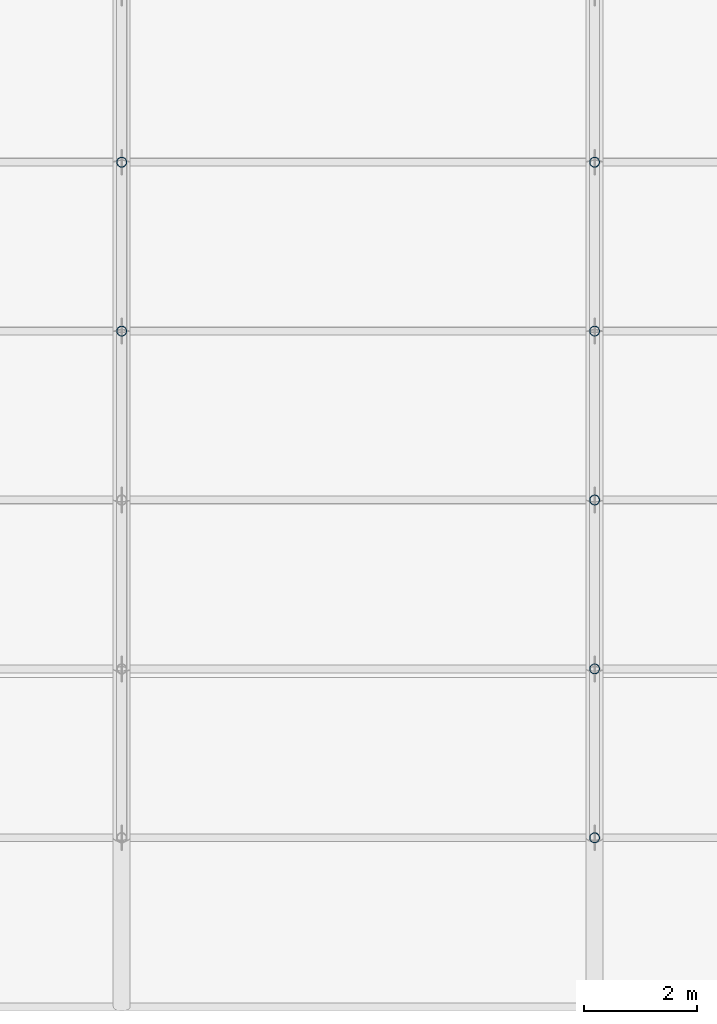
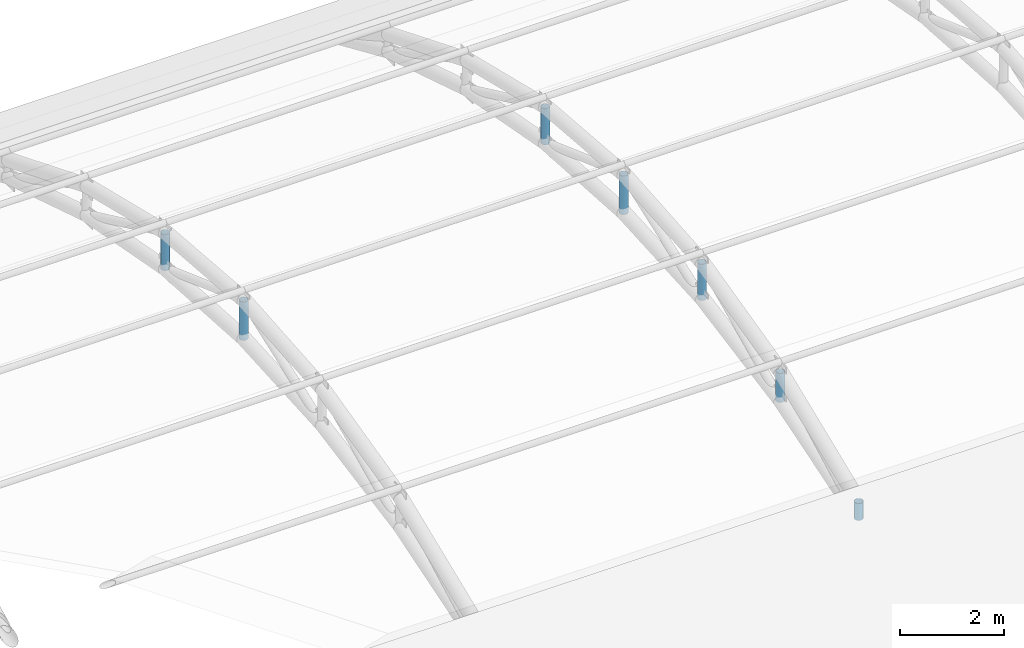
# One storey, part 91 of 163: 7 members.
"""IFC4 building model written with IfcOpenShell, lengths in metres."""

from ifc_helpers import new_model, si_unit, direction, frame, origin, origin_2d, place, context, subcontext, project, spatial, hollow_circle, extrude, material, material_profile, profile_set, type_object, element, save


model = new_model("IFC4")

# Units and contexts
model_context = context("Model", 3, precision=1e-05, world=origin(), true_north=direction((0.0, 1.0)))
body_context = subcontext(model_context, "Body", "Model", "MODEL_VIEW")
ifc_project = project(units=[si_unit("LENGTHUNIT", "METRE"), si_unit("AREAUNIT", "SQUARE_METRE"), si_unit("VOLUMEUNIT", "CUBIC_METRE"), si_unit("PLANEANGLEUNIT", "RADIAN"), si_unit("MASSUNIT", "GRAM", prefix="KILO")], contexts=[model_context])

# Site, building, storey
site_placement = place(None, origin())
site = spatial("IfcSite", under=ifc_project, at=site_placement, CompositionType="ELEMENT")
building_placement = place(site_placement, origin())
building = spatial("IfcBuilding", under=site, at=building_placement, Name="Rain Tree Exposition and Congress Centre", CompositionType="ELEMENT")
storey_placement = place(building_placement, frame((0.0, 0.0, 10.5)))
storey = spatial("IfcBuildingStorey", under=building, at=storey_placement, Name="L02", CompositionType="ELEMENT", Elevation=10.5)

# Members
ifc_material = material(Name="Steel S355J2H", Category="steel")
ifc_material_profile = material_profile(ifc_material, hollow_circle(Radius=0.090087890625, WallThickness=0.008056640625, at=origin_2d()), Name="CHS 180x8")
ifc_profile_set = profile_set([ifc_material_profile], Name="Steel S355J2H")
member_type = type_object("IfcMemberType", Name="Steel post member CHS 180x8", PredefinedType="POST", material=ifc_profile_set)
member_1_placement = place(storey_placement, frame((243.60009765625, 87.60009765625, 3.1298828125), z_axis=(0.0, 0.0, 1.0), x_axis=(1.0, 0.0, 0.0)))
element("IfcMember", 1, at=member_1_placement, inside=storey, type_object=member_type, Name="Roof truss 30 post 4", PredefinedType="POST", context=body_context, shape_type="SweptSolid", body=[
    extrude(hollow_circle(Radius=0.090087890625, WallThickness=0.008056640625, at=origin_2d()), origin(), (0.0, 0.0, 1.0), 0.900146484375),
])
member_2_placement = place(storey_placement, frame((243.60009765625, 90.60009765625, 2.9423828125), z_axis=(0.0, 0.0, 1.0), x_axis=(1.0, 0.0, 0.0)))
element("IfcMember", 2, at=member_2_placement, inside=storey, type_object=member_type, Name="Roof truss 30 post 5", PredefinedType="POST", context=body_context, shape_type="SweptSolid", body=[
    extrude(hollow_circle(Radius=0.090087890625, WallThickness=0.008056640625, at=origin_2d()), origin(), (0.0, 0.0, 1.0), 0.843994140625),
])
member_3_placement = place(storey_placement, frame((252.0, 78.60009765625, 1.4423828125), z_axis=(0.0, 0.0, 1.0), x_axis=(1.0, 0.0, 0.0)))
element("IfcMember", 3, at=member_3_placement, inside=storey, type_object=member_type, Name="Roof truss 31 post 1", PredefinedType="POST", context=body_context, shape_type="SweptSolid", body=[
    extrude(hollow_circle(Radius=0.090087890625, WallThickness=0.008056640625, at=origin_2d()), origin(), (0.0, 0.0, 1.0), 0.393798828125),
])
member_4_placement = place(storey_placement, frame((252.0, 81.60009765625, 2.3798828125), z_axis=(0.0, 0.0, 1.0), x_axis=(1.0, 0.0, 0.0)))
element("IfcMember", 4, at=member_4_placement, inside=storey, type_object=member_type, Name="Roof truss 31 post 2", PredefinedType="POST", context=body_context, shape_type="SweptSolid", body=[
    extrude(hollow_circle(Radius=0.090087890625, WallThickness=0.008056640625, at=origin_2d()), origin(), (0.0, 0.0, 1.0), 0.675048828125),
])
member_5_placement = place(storey_placement, frame((252.0, 84.60009765625, 2.9423828125), z_axis=(0.0, 0.0, 1.0), x_axis=(1.0, 0.0, 0.0)))
element("IfcMember", 5, at=member_5_placement, inside=storey, type_object=member_type, Name="Roof truss 31 post 3", PredefinedType="POST", context=body_context, shape_type="SweptSolid", body=[
    extrude(hollow_circle(Radius=0.090087890625, WallThickness=0.008056640625, at=origin_2d()), origin(), (0.0, 0.0, 1.0), 0.843994140625),
])
member_6_placement = place(storey_placement, frame((252.0, 87.60009765625, 3.1298828125), z_axis=(0.0, 0.0, 1.0), x_axis=(1.0, 0.0, 0.0)))
element("IfcMember", 6, at=member_6_placement, inside=storey, type_object=member_type, Name="Roof truss 31 post 4", PredefinedType="POST", context=body_context, shape_type="SweptSolid", body=[
    extrude(hollow_circle(Radius=0.090087890625, WallThickness=0.008056640625, at=origin_2d()), origin(), (0.0, 0.0, 1.0), 0.900146484375),
])
member_7_placement = place(storey_placement, frame((252.0, 90.60009765625, 2.9423828125), z_axis=(0.0, 0.0, 1.0), x_axis=(1.0, 0.0, 0.0)))
element("IfcMember", 7, at=member_7_placement, inside=storey, type_object=member_type, Name="Roof truss 31 post 5", PredefinedType="POST", context=body_context, shape_type="SweptSolid", body=[
    extrude(hollow_circle(Radius=0.090087890625, WallThickness=0.008056640625, at=origin_2d()), origin(), (0.0, 0.0, 1.0), 0.843994140625),
])

save(model, "model.ifc")
